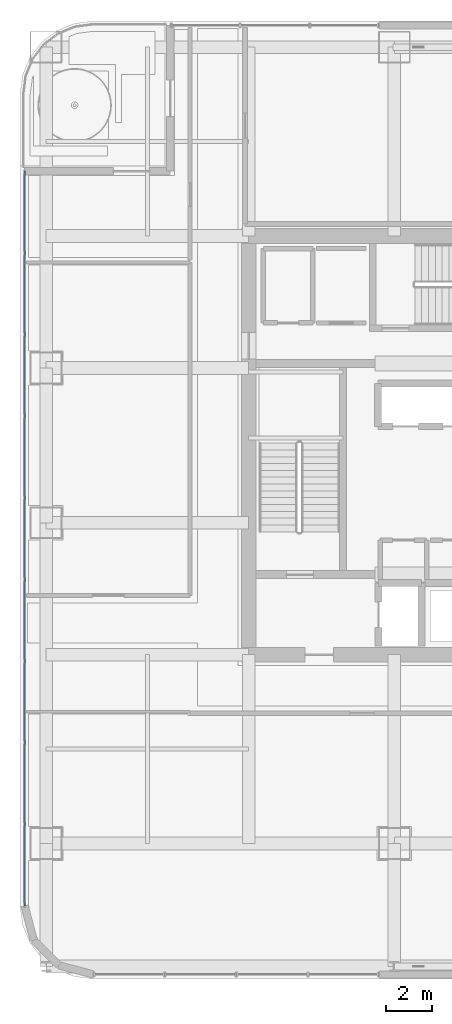
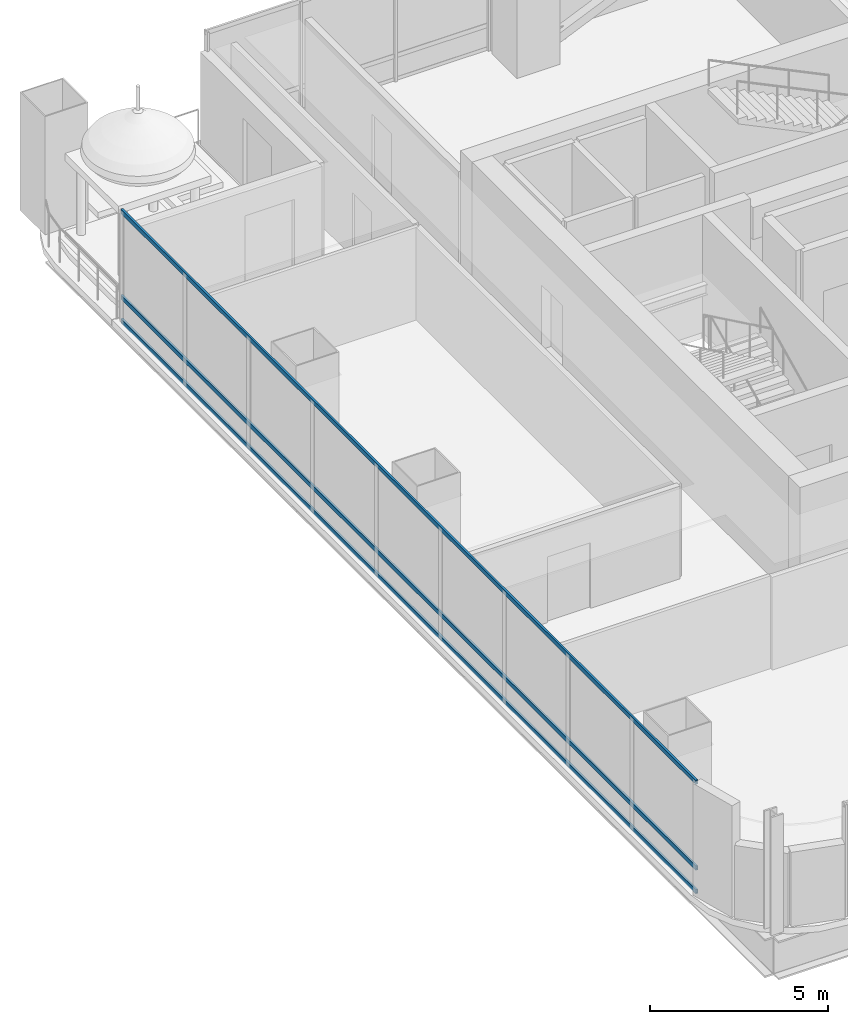
# One storey, part 8 of 41: 3 members, 1 element without a shape of its own.
"""IFC4 building model written with IfcOpenShell, lengths in metres."""

import ifcopenshell
import ifcopenshell.guid

model = None  # the IFC model being written
_history = None  # IfcOwnerHistory: only IFC2X3 demands one
_inside = {}  # id of a spatial element -> (the spatial element, [elements in it])
_under = {}  # id of a project, library or spatial element -> (it, [spatial elements below it])
_declared = {}  # id of a project -> (the project, [libraries it declares])
_typed = {}  # id of a type object -> (the type object, [elements of that type])
_made_of = {}  # id of a material, layer set ... -> (it, [elements and type objects made of it])


def new_model(schema):
    """Start an empty IFC model of exactly this schema.

    Asked for "IFC4X3", IfcOpenShell would pick the latest addendum, in which some entities
    have other attributes; the version numbers below select the first issue.
    IFC2X3 requires an IfcOwnerHistory on every rooted entity: one is made here for all.
    """
    global model, _history
    if schema == "IFC4X3":
        model = ifcopenshell.file(schema_version=(4, 3, 0, 0))
    else:
        model = ifcopenshell.file(schema=schema)
    _inside.clear()
    _under.clear()
    _declared.clear()
    _typed.clear()
    _made_of.clear()
    _history = None
    if model.schema == "IFC2X3":
        org = make("IfcOrganization", Name="unknown")
        user = make(
            "IfcPersonAndOrganization",
            ThePerson=make("IfcPerson", FamilyName="unknown"),
            TheOrganization=org,
        )
        app = make(
            "IfcApplication",
            ApplicationDeveloper=org,
            Version="unknown",
            ApplicationFullName="unknown",
            ApplicationIdentifier="unknown",
        )
        _history = make(
            "IfcOwnerHistory",
            OwningUser=user,
            OwningApplication=app,
            ChangeAction="ADDED",
            CreationDate=0,
        )
    return model


def make(cls, **values):
    """One entity of the class cls with the attributes given. An attribute that is None is left unset."""
    return model.create_entity(
        cls, **{name: value for name, value in values.items() if value is not None}
    )


def rooted(cls, **values):
    """An entity with a GlobalId (a new one), such as an element, a storey or a relation."""
    return make(cls, GlobalId=ifcopenshell.guid.new(), OwnerHistory=_history, **values)


def si_unit(unit_type, name, prefix=None):
    """IfcSIUnit, for example si_unit("LENGTHUNIT", "METRE", prefix="MILLI")."""
    return make("IfcSIUnit", UnitType=unit_type, Prefix=prefix, Name=name)


def assignment(units):
    """IfcUnitAssignment: the units of a project."""
    return None if units is None else make("IfcUnitAssignment", Units=units)


def point(xyz):
    """IfcCartesianPoint."""
    return None if xyz is None else make("IfcCartesianPoint", Coordinates=xyz)


def direction(xyz):
    """IfcDirection."""
    return None if xyz is None else make("IfcDirection", DirectionRatios=xyz)


def frame(location, z_axis=None, x_axis=None):
    """IfcAxis2Placement3D, a coordinate frame: its origin and axes. An axis left out is left unset."""
    return make(
        "IfcAxis2Placement3D",
        Location=point(location),
        Axis=direction(z_axis),
        RefDirection=direction(x_axis),
    )


def frame_2d(location, x_axis=None):
    """IfcAxis2Placement2D, a coordinate frame in the plane: its origin and x axis."""
    return make(
        "IfcAxis2Placement2D", Location=point(location), RefDirection=direction(x_axis)
    )


def origin():
    """The frame at (0, 0, 0) with its axes left unset."""
    return frame((0.0, 0.0, 0.0))


def origin_2d():
    """The frame at (0, 0) in the plane with its x axis left unset."""
    return frame_2d((0.0, 0.0))


def place(relative_to, where):
    """IfcLocalPlacement: puts the frame where relative to a parent placement (None: the world)."""
    return make(
        "IfcLocalPlacement", PlacementRelTo=relative_to, RelativePlacement=where
    )


def context(
    kind, dimensions, precision=None, world=None, true_north=None, identifier=None
):
    """IfcGeometricRepresentationContext, for example the 3D "Model" context."""
    return make(
        "IfcGeometricRepresentationContext",
        ContextIdentifier=identifier,
        ContextType=kind,
        CoordinateSpaceDimension=dimensions,
        Precision=precision,
        WorldCoordinateSystem=world,
        TrueNorth=true_north,
    )


def subcontext(parent, identifier, kind, view, scale=None):
    """IfcGeometricRepresentationSubContext, for example "Body" below "Model"."""
    return make(
        "IfcGeometricRepresentationSubContext",
        ContextIdentifier=identifier,
        ContextType=kind,
        ParentContext=parent,
        TargetScale=scale,
        TargetView=view,
    )


def project(units=None, contexts=None):
    """IfcProject with its units and contexts."""
    return rooted(
        "IfcProject",
        Name="project",
        RepresentationContexts=contexts,
        UnitsInContext=assignment(units),
    )


def spatial(cls, under=None, at=None, **own):
    """A site, building, storey or space (cls), placed at a placement, below another one or the project."""
    s = rooted(cls, ObjectPlacement=at, **own)
    if under is not None:
        _under.setdefault(under.id(), (under, []))[1].append(s)
    return s


def profile(cls, at=None, kind="AREA", **sizes):
    """A parametric profile (cls). Its sizes go by their IFC names, for example OverallWidth=200.0."""
    return make(cls, ProfileType=kind, Position=at, **sizes)


def hollow_rectangle(**sizes):
    """IfcRectangleHollowProfileDef."""
    return profile("IfcRectangleHollowProfileDef", **sizes)


def extrude(swept, where, along, depth):
    """IfcExtrudedAreaSolid: the profile swept, set in the frame where, extruded along a direction by depth."""
    return make(
        "IfcExtrudedAreaSolid",
        SweptArea=swept,
        Position=where,
        ExtrudedDirection=direction(along),
        Depth=depth,
    )


def shape(context_of_items, identifier, shape_type, items):
    """IfcShapeRepresentation: the items that make up one representation, for example the "Body"."""
    return make(
        "IfcShapeRepresentation",
        ContextOfItems=context_of_items,
        RepresentationIdentifier=identifier,
        RepresentationType=shape_type,
        Items=items,
    )


def material(Name=None, Category=None):
    """IfcMaterial."""
    return make("IfcMaterial", Name=Name, Category=Category)


def material_profile(
    of_material, cross_section, Name=None, Category=None, Priority=None
):
    """IfcMaterialProfile: a cross section and its material."""
    return make(
        "IfcMaterialProfile",
        Name=Name,
        Material=of_material,
        Profile=cross_section,
        Priority=Priority,
        Category=Category,
    )


def profile_set(profiles, Name=None, composite=None):
    """IfcMaterialProfileSet."""
    return make(
        "IfcMaterialProfileSet",
        Name=Name,
        MaterialProfiles=profiles,
        CompositeProfile=composite,
    )


def made_of(thing, what):
    """Note that an element or type object is made of a material, layer set ...; save() writes the relation."""
    if what is not None:
        _made_of.setdefault(what.id(), (what, []))[1].append(thing)
    return thing


def type_object(cls, material=None, **own):
    """A type object (cls), such as IfcWallType, which elements share."""
    return made_of(rooted(cls, **own), material)


def element(
    cls,
    number,
    at=None,
    inside=None,
    cuts=None,
    type_object=None,
    material=None,
    context=None,
    identifier="Body",
    shape_type=None,
    held_by="IfcProductDefinitionShape",
    body=None,
    shapes=None,
    **own,
):
    """One element of the class cls, such as IfcWall. Its Tag is "e" and its number.

    at: its placement. inside: the storey or other place that contains it. cuts: it is an
    opening in that element (IfcRelVoidsElement). A single representation is given by context,
    identifier, shape_type and body (its items); several are given by shapes. held_by: the class
    of the entity that holds the representations. save() writes the other relations.
    """
    e = rooted(cls, Tag="e%d" % number, ObjectPlacement=at, **own)
    if body is not None:
        shapes = [shape(context, identifier, shape_type, body)]
    if shapes is not None:
        e.Representation = make(held_by, Representations=shapes)
    if inside is not None:
        _inside.setdefault(inside.id(), (inside, []))[1].append(e)
    if cuts is not None:
        rooted(
            "IfcRelVoidsElement", RelatingBuildingElement=cuts, RelatedOpeningElement=e
        )
    if type_object is not None:
        _typed.setdefault(type_object.id(), (type_object, []))[1].append(e)
    return made_of(e, material)


def aggregate(whole, parts):
    """IfcRelAggregates: a whole, such as a stair, and the parts it consists of."""
    return rooted("IfcRelAggregates", RelatingObject=whole, RelatedObjects=parts)


def save(model, path):
    """Write the relations noted so far, then the file.

    IfcRelAggregates (storeys below a building ...), IfcRelContainedInSpatialStructure (elements
    in a storey), IfcRelDefinesByType, IfcRelAssociatesMaterial and IfcRelDeclares: one each for
    every whole, place, type object, material and project.
    """
    for whole, parts in _under.values():
        aggregate(whole, parts)
    for where, things in _inside.values():
        rooted(
            "IfcRelContainedInSpatialStructure",
            RelatedElements=things,
            RelatingStructure=where,
        )
    for kind, things in _typed.values():
        rooted("IfcRelDefinesByType", RelatedObjects=things, RelatingType=kind)
    for what, things in _made_of.values():
        rooted("IfcRelAssociatesMaterial", RelatedObjects=things, RelatingMaterial=what)
    for by, libraries in _declared.values():
        rooted("IfcRelDeclares", RelatingContext=by, RelatedDefinitions=libraries)
    model.write(path)


model = new_model("IFC4")

# Units and contexts
model_context = context("Model", 3, precision=1e-05, world=origin(), true_north=direction((0.0, 1.0)))
body_context = subcontext(model_context, "Body", "Model", "MODEL_VIEW")
ifc_project = project(units=[si_unit("LENGTHUNIT", "METRE"), si_unit("AREAUNIT", "SQUARE_METRE"), si_unit("VOLUMEUNIT", "CUBIC_METRE"), si_unit("PLANEANGLEUNIT", "RADIAN"), si_unit("MASSUNIT", "GRAM", prefix="KILO")], contexts=[model_context])

# Site, building, storey
site_placement = place(None, origin())
site = spatial("IfcSite", under=ifc_project, at=site_placement, CompositionType="ELEMENT")
building_placement = place(site_placement, origin())
building = spatial("IfcBuilding", under=site, at=building_placement, Name="Punatoya Terracotta Tower", CompositionType="ELEMENT")
storey_placement = place(building_placement, frame((0.0, 0.0, 220.800048828125)))
storey = spatial("IfcBuildingStorey", under=building, at=storey_placement, Name="L52", CompositionType="ELEMENT", Elevation=220.800048828125)

# Curtain wall, members
ifc_material_1 = material(Name="Aluminium 6063-T6 + Double Low-E Glass", Category="aluminium")
curtain_wall_type = type_object("IfcCurtainWallType", Name="CW-M2", PredefinedType="NOTDEFINED", material=ifc_material_1)
curtain_wall_placement = place(storey_placement, origin())
curtain_wall = element("IfcCurtainWall", 1, at=curtain_wall_placement, inside=storey, type_object=curtain_wall_type, Name="L52 Curtain Wall CW-L52-W11-1", PredefinedType="NOTDEFINED")
ifc_material_2 = material(Name="Aluminium 6063-T6", Category="aluminium")
ifc_material_profile = material_profile(ifc_material_2, hollow_rectangle(XDim=0.068115234375, YDim=0.14990234375, WallThickness=0.00390625, at=origin_2d()))
ifc_profile_set = profile_set([ifc_material_profile], Name="Aluminium 6063-T6")
member_type = type_object("IfcMemberType", Name="CW-TRN-TYP", PredefinedType="USERDEFINED", material=ifc_profile_set)
member_1_placement = place(storey_placement, frame((-20.050048828125, 12.050048828125, 0.0400390625), z_axis=(0.0, -1.0, 0.0), x_axis=(1.0, 0.0, 0.0)))
member_1 = element("IfcMember", 2, at=member_1_placement, type_object=member_type, Name="CW-L52-W11-1 Transom 1", ObjectType="TRANSOM", PredefinedType="USERDEFINED", context=body_context, shape_type="SweptSolid", body=[
    extrude(hollow_rectangle(XDim=0.068115234375, YDim=0.14990234375, WallThickness=0.00390625, at=origin_2d()), origin(), (0.0, 0.0, 1.0), 32.286865234375),
])
member_2_placement = place(storey_placement, frame((-20.050048828125, 12.050048828125, 0.849853515625), z_axis=(0.0, -1.0, 0.0), x_axis=(1.0, 0.0, 0.0)))
member_2 = element("IfcMember", 3, at=member_2_placement, type_object=member_type, Name="CW-L52-W11-1 Transom 2", ObjectType="TRANSOM", PredefinedType="USERDEFINED", context=body_context, shape_type="SweptSolid", body=[
    extrude(hollow_rectangle(XDim=0.068115234375, YDim=0.14990234375, WallThickness=0.00390625, at=origin_2d()), origin(), (0.0, 0.0, 1.0), 32.286865234375),
])
member_3_placement = place(storey_placement, frame((-20.050048828125, 12.050048828125, 3.7900390625), z_axis=(0.0, -1.0, 0.0), x_axis=(1.0, 0.0, 0.0)))
member_3 = element("IfcMember", 4, at=member_3_placement, type_object=member_type, Name="CW-L52-W11-1 Transom 3", ObjectType="TRANSOM", PredefinedType="USERDEFINED", context=body_context, shape_type="SweptSolid", body=[
    extrude(hollow_rectangle(XDim=0.068115234375, YDim=0.14990234375, WallThickness=0.00390625, at=origin_2d()), origin(), (0.0, 0.0, 1.0), 32.286865234375),
])
aggregate(curtain_wall, [member_1, member_2, member_3])

save(model, "model.ifc")
